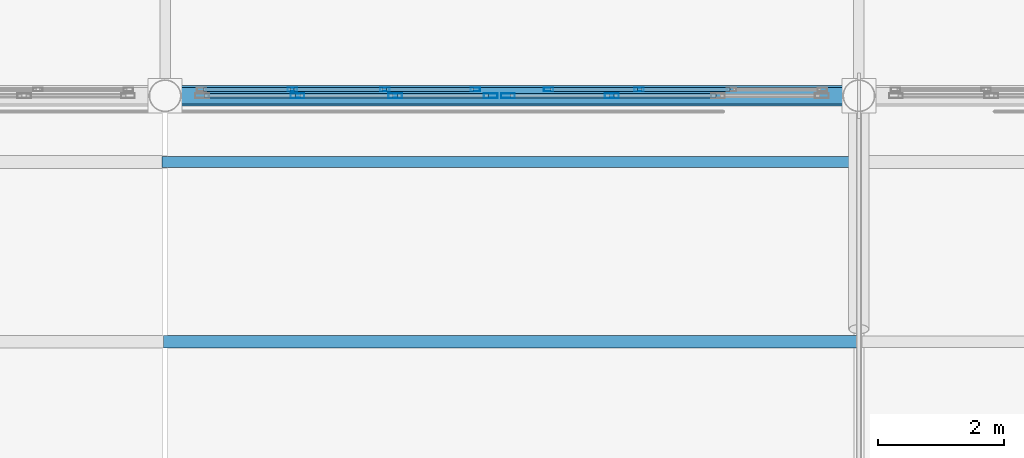
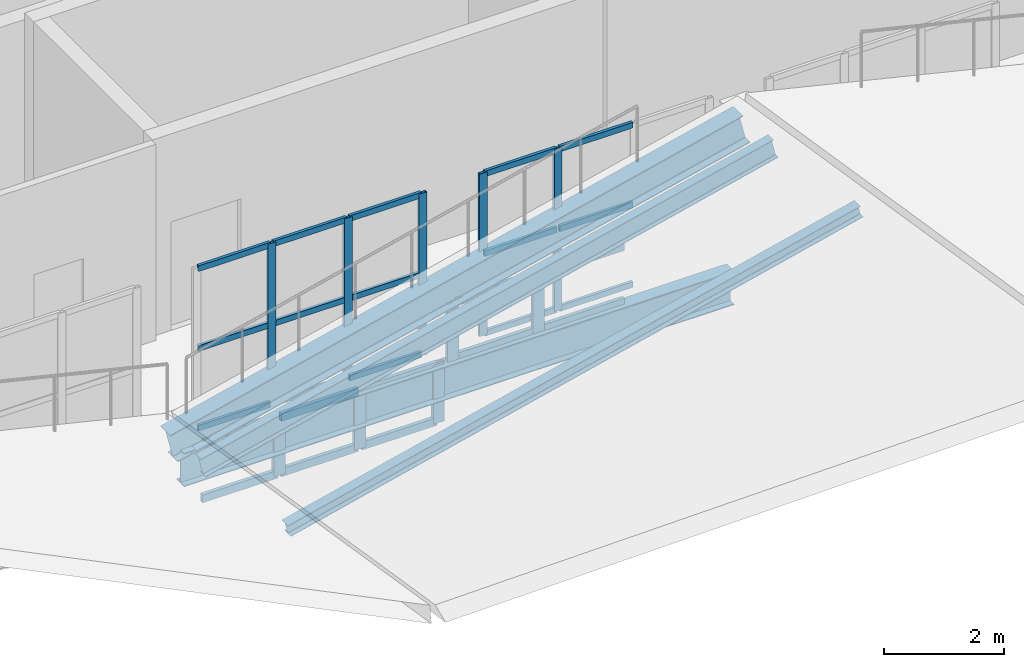
# One storey, part 23 of 120: 37 members, 2 beams, 4 elements without a shape of their own.
"""IFC4 building model written with IfcOpenShell, lengths in metres."""

import ifcopenshell
import ifcopenshell.guid

model = None  # the IFC model being written
_history = None  # IfcOwnerHistory: only IFC2X3 demands one
_inside = {}  # id of a spatial element -> (the spatial element, [elements in it])
_under = {}  # id of a project, library or spatial element -> (it, [spatial elements below it])
_declared = {}  # id of a project -> (the project, [libraries it declares])
_typed = {}  # id of a type object -> (the type object, [elements of that type])
_made_of = {}  # id of a material, layer set ... -> (it, [elements and type objects made of it])


def new_model(schema):
    """Start an empty IFC model of exactly this schema.

    Asked for "IFC4X3", IfcOpenShell would pick the latest addendum, in which some entities
    have other attributes; the version numbers below select the first issue.
    IFC2X3 requires an IfcOwnerHistory on every rooted entity: one is made here for all.
    """
    global model, _history
    if schema == "IFC4X3":
        model = ifcopenshell.file(schema_version=(4, 3, 0, 0))
    else:
        model = ifcopenshell.file(schema=schema)
    _inside.clear()
    _under.clear()
    _declared.clear()
    _typed.clear()
    _made_of.clear()
    _history = None
    if model.schema == "IFC2X3":
        org = make("IfcOrganization", Name="unknown")
        user = make(
            "IfcPersonAndOrganization",
            ThePerson=make("IfcPerson", FamilyName="unknown"),
            TheOrganization=org,
        )
        app = make(
            "IfcApplication",
            ApplicationDeveloper=org,
            Version="unknown",
            ApplicationFullName="unknown",
            ApplicationIdentifier="unknown",
        )
        _history = make(
            "IfcOwnerHistory",
            OwningUser=user,
            OwningApplication=app,
            ChangeAction="ADDED",
            CreationDate=0,
        )
    return model


def make(cls, **values):
    """One entity of the class cls with the attributes given. An attribute that is None is left unset."""
    return model.create_entity(
        cls, **{name: value for name, value in values.items() if value is not None}
    )


def rooted(cls, **values):
    """An entity with a GlobalId (a new one), such as an element, a storey or a relation."""
    return make(cls, GlobalId=ifcopenshell.guid.new(), OwnerHistory=_history, **values)


def si_unit(unit_type, name, prefix=None):
    """IfcSIUnit, for example si_unit("LENGTHUNIT", "METRE", prefix="MILLI")."""
    return make("IfcSIUnit", UnitType=unit_type, Prefix=prefix, Name=name)


def assignment(units):
    """IfcUnitAssignment: the units of a project."""
    return None if units is None else make("IfcUnitAssignment", Units=units)


def point(xyz):
    """IfcCartesianPoint."""
    return None if xyz is None else make("IfcCartesianPoint", Coordinates=xyz)


def direction(xyz):
    """IfcDirection."""
    return None if xyz is None else make("IfcDirection", DirectionRatios=xyz)


def frame(location, z_axis=None, x_axis=None):
    """IfcAxis2Placement3D, a coordinate frame: its origin and axes. An axis left out is left unset."""
    return make(
        "IfcAxis2Placement3D",
        Location=point(location),
        Axis=direction(z_axis),
        RefDirection=direction(x_axis),
    )


def frame_2d(location, x_axis=None):
    """IfcAxis2Placement2D, a coordinate frame in the plane: its origin and x axis."""
    return make(
        "IfcAxis2Placement2D", Location=point(location), RefDirection=direction(x_axis)
    )


def origin():
    """The frame at (0, 0, 0) with its axes left unset."""
    return frame((0.0, 0.0, 0.0))


def origin_2d():
    """The frame at (0, 0) in the plane with its x axis left unset."""
    return frame_2d((0.0, 0.0))


def place(relative_to, where):
    """IfcLocalPlacement: puts the frame where relative to a parent placement (None: the world)."""
    return make(
        "IfcLocalPlacement", PlacementRelTo=relative_to, RelativePlacement=where
    )


def context(
    kind, dimensions, precision=None, world=None, true_north=None, identifier=None
):
    """IfcGeometricRepresentationContext, for example the 3D "Model" context."""
    return make(
        "IfcGeometricRepresentationContext",
        ContextIdentifier=identifier,
        ContextType=kind,
        CoordinateSpaceDimension=dimensions,
        Precision=precision,
        WorldCoordinateSystem=world,
        TrueNorth=true_north,
    )


def subcontext(parent, identifier, kind, view, scale=None):
    """IfcGeometricRepresentationSubContext, for example "Body" below "Model"."""
    return make(
        "IfcGeometricRepresentationSubContext",
        ContextIdentifier=identifier,
        ContextType=kind,
        ParentContext=parent,
        TargetScale=scale,
        TargetView=view,
    )


def project(units=None, contexts=None):
    """IfcProject with its units and contexts."""
    return rooted(
        "IfcProject",
        Name="project",
        RepresentationContexts=contexts,
        UnitsInContext=assignment(units),
    )


def spatial(cls, under=None, at=None, **own):
    """A site, building, storey or space (cls), placed at a placement, below another one or the project."""
    s = rooted(cls, ObjectPlacement=at, **own)
    if under is not None:
        _under.setdefault(under.id(), (under, []))[1].append(s)
    return s


def profile(cls, at=None, kind="AREA", **sizes):
    """A parametric profile (cls). Its sizes go by their IFC names, for example OverallWidth=200.0."""
    return make(cls, ProfileType=kind, Position=at, **sizes)


def hollow_rectangle(**sizes):
    """IfcRectangleHollowProfileDef."""
    return profile("IfcRectangleHollowProfileDef", **sizes)


def i_section(**sizes):
    """IfcIShapeProfileDef."""
    return profile("IfcIShapeProfileDef", **sizes)


def extrude(swept, where, along, depth):
    """IfcExtrudedAreaSolid: the profile swept, set in the frame where, extruded along a direction by depth."""
    return make(
        "IfcExtrudedAreaSolid",
        SweptArea=swept,
        Position=where,
        ExtrudedDirection=direction(along),
        Depth=depth,
    )


def shape(context_of_items, identifier, shape_type, items):
    """IfcShapeRepresentation: the items that make up one representation, for example the "Body"."""
    return make(
        "IfcShapeRepresentation",
        ContextOfItems=context_of_items,
        RepresentationIdentifier=identifier,
        RepresentationType=shape_type,
        Items=items,
    )


def material(Name=None, Category=None):
    """IfcMaterial."""
    return make("IfcMaterial", Name=Name, Category=Category)


def material_profile(
    of_material, cross_section, Name=None, Category=None, Priority=None
):
    """IfcMaterialProfile: a cross section and its material."""
    return make(
        "IfcMaterialProfile",
        Name=Name,
        Material=of_material,
        Profile=cross_section,
        Priority=Priority,
        Category=Category,
    )


def profile_set(profiles, Name=None, composite=None):
    """IfcMaterialProfileSet."""
    return make(
        "IfcMaterialProfileSet",
        Name=Name,
        MaterialProfiles=profiles,
        CompositeProfile=composite,
    )


def made_of(thing, what):
    """Note that an element or type object is made of a material, layer set ...; save() writes the relation."""
    if what is not None:
        _made_of.setdefault(what.id(), (what, []))[1].append(thing)
    return thing


def type_object(cls, material=None, **own):
    """A type object (cls), such as IfcWallType, which elements share."""
    return made_of(rooted(cls, **own), material)


def element(
    cls,
    number,
    at=None,
    inside=None,
    cuts=None,
    type_object=None,
    material=None,
    context=None,
    identifier="Body",
    shape_type=None,
    held_by="IfcProductDefinitionShape",
    body=None,
    shapes=None,
    **own,
):
    """One element of the class cls, such as IfcWall. Its Tag is "e" and its number.

    at: its placement. inside: the storey or other place that contains it. cuts: it is an
    opening in that element (IfcRelVoidsElement). A single representation is given by context,
    identifier, shape_type and body (its items); several are given by shapes. held_by: the class
    of the entity that holds the representations. save() writes the other relations.
    """
    e = rooted(cls, Tag="e%d" % number, ObjectPlacement=at, **own)
    if body is not None:
        shapes = [shape(context, identifier, shape_type, body)]
    if shapes is not None:
        e.Representation = make(held_by, Representations=shapes)
    if inside is not None:
        _inside.setdefault(inside.id(), (inside, []))[1].append(e)
    if cuts is not None:
        rooted(
            "IfcRelVoidsElement", RelatingBuildingElement=cuts, RelatedOpeningElement=e
        )
    if type_object is not None:
        _typed.setdefault(type_object.id(), (type_object, []))[1].append(e)
    return made_of(e, material)


def aggregate(whole, parts):
    """IfcRelAggregates: a whole, such as a stair, and the parts it consists of."""
    return rooted("IfcRelAggregates", RelatingObject=whole, RelatedObjects=parts)


def save(model, path):
    """Write the relations noted so far, then the file.

    IfcRelAggregates (storeys below a building ...), IfcRelContainedInSpatialStructure (elements
    in a storey), IfcRelDefinesByType, IfcRelAssociatesMaterial and IfcRelDeclares: one each for
    every whole, place, type object, material and project.
    """
    for whole, parts in _under.values():
        aggregate(whole, parts)
    for where, things in _inside.values():
        rooted(
            "IfcRelContainedInSpatialStructure",
            RelatedElements=things,
            RelatingStructure=where,
        )
    for kind, things in _typed.values():
        rooted("IfcRelDefinesByType", RelatedObjects=things, RelatingType=kind)
    for what, things in _made_of.values():
        rooted("IfcRelAssociatesMaterial", RelatedObjects=things, RelatingMaterial=what)
    for by, libraries in _declared.values():
        rooted("IfcRelDeclares", RelatingContext=by, RelatedDefinitions=libraries)
    model.write(path)


model = new_model("IFC4")

# Units and contexts
model_context = context("Model", 3, precision=1e-05, world=origin(), true_north=direction((0.0, 1.0)))
body_context = subcontext(model_context, "Body", "Model", "MODEL_VIEW")
ifc_project = project(units=[si_unit("LENGTHUNIT", "METRE"), si_unit("AREAUNIT", "SQUARE_METRE"), si_unit("VOLUMEUNIT", "CUBIC_METRE"), si_unit("PLANEANGLEUNIT", "RADIAN"), si_unit("MASSUNIT", "GRAM", prefix="KILO")], contexts=[model_context])

# Site, building, storey
site_placement = place(None, origin())
site = spatial("IfcSite", under=ifc_project, at=site_placement, CompositionType="ELEMENT")
building_placement = place(site_placement, origin())
building = spatial("IfcBuilding", under=site, at=building_placement, Name="Caurita Quay Ferry Terminal", CompositionType="ELEMENT")
storey_placement = place(building_placement, frame((0.0, 0.0, 9.89990234375)))
storey = spatial("IfcBuildingStorey", under=building, at=storey_placement, Name="L02", CompositionType="ELEMENT", Elevation=9.89990234375)

# Beams
ifc_material_1 = material(Name="Structural steel ASTM A992 Gr. 50", Category="steel")
ifc_material_profile_1 = material_profile(ifc_material_1, i_section(OverallWidth=0.3251953125, OverallDepth=0.612060546875, WebThickness=0.0126953125, FlangeThickness=0.01904296875, FilletRadius=0.01513671875, at=origin_2d()), Name="W24X104")
ifc_profile_set_1 = profile_set([ifc_material_profile_1], Name="Structural steel ASTM A992 Gr. 50")
beam_type_1 = type_object("IfcBeamType", Name="BM-GR-W24A", PredefinedType="BEAM", material=ifc_profile_set_1)
beam_1_placement = place(storey_placement, frame((22.0, 62.699951171875, -0.02978515625), z_axis=(0.972389456854, 0.0, 0.233363973654), x_axis=(0.0, 1.0, 0.0)))
element("IfcBeam", 1, at=beam_1_placement, inside=storey, type_object=beam_type_1, Name="Folded Roof Gable Ring Girder V1-N-22", PredefinedType="BEAM", context=body_context, shape_type="SweptSolid", body=[
    extrude(i_section(OverallWidth=0.3251953125, OverallDepth=0.612060546875, WebThickness=0.0126953125, FlangeThickness=0.01904296875, FilletRadius=0.01513671875, at=origin_2d()), origin(), (0.0, 0.0, 1.0), 11.312255859375),
])
ifc_material_profile_2 = material_profile(ifc_material_1, i_section(OverallWidth=0.25390625, OverallDepth=0.68310546875, WebThickness=0.012451171875, FlangeThickness=0.018798828125, at=origin_2d()), Name="W27X94")
ifc_profile_set_2 = profile_set([ifc_material_profile_2], Name="Structural steel ASTM A992 Gr. 50")
beam_type_2 = type_object("IfcBeamType", Name="BM-GR-W27B", PredefinedType="BEAM", material=ifc_profile_set_2)
beam_2_placement = place(storey_placement, frame((22.2158203125, 62.699951171875, -0.5615234375), z_axis=(1.0, 0.0, 0.0), x_axis=(0.0, 1.0, 0.0)))
element("IfcBeam", 2, at=beam_2_placement, inside=storey, type_object=beam_type_2, Name="L02 Beam BM-V1-L02-X-222-627", PredefinedType="BEAM", context=body_context, shape_type="SweptSolid", body=[
    extrude(i_section(OverallWidth=0.25390625, OverallDepth=0.68310546875, WebThickness=0.012451171875, FlangeThickness=0.018798828125, at=origin_2d()), origin(), (0.0, 0.0, 1.0), 10.568359375),
])

# Curtain wall, members
ifc_material_2 = material(Name="Laminated solar-control insulated glass", Category="glass")
curtain_wall_type_1 = type_object("IfcCurtainWallType", Name="CW-SYS-13", PredefinedType="NOTDEFINED", material=ifc_material_2)
curtain_wall_1_placement = place(storey_placement, origin())
curtain_wall_1 = element("IfcCurtainWall", 3, at=curtain_wall_1_placement, inside=storey, type_object=curtain_wall_type_1, Name="Mezzanine Hall Overlook Glazing 093", PredefinedType="NOTDEFINED")
ifc_material_3 = material(Name="Anodized aluminium 6063-T6", Category="aluminium")
ifc_material_profile_3 = material_profile(ifc_material_3, hollow_rectangle(XDim=0.06005859375, YDim=0.14990234375, WallThickness=0.00341796875, at=origin_2d()), Name="ALU-MUL-60X150")
ifc_profile_set_3 = profile_set([ifc_material_profile_3], Name="Anodized aluminium 6063-T6")
member_type_1 = type_object("IfcMemberType", Name="CW-MUL-150", PredefinedType="MULLION", material=ifc_profile_set_3)
member_1_placement = place(storey_placement, frame((24.0166015625, 62.800048828125, 0.0), z_axis=(0.0, 0.0, 1.0), x_axis=(0.0, 1.0, 0.0)))
member_1 = element("IfcMember", 4, at=member_1_placement, type_object=member_type_1, Name="CW-MZL-093 Mullion 2", PredefinedType="MULLION", context=body_context, shape_type="SweptSolid", body=[
    extrude(hollow_rectangle(XDim=0.06005859375, YDim=0.14990234375, WallThickness=0.00341796875, at=origin_2d()), origin(), (0.0, 0.0, 1.0), 3.300048828125),
])
member_2_placement = place(storey_placement, frame((25.4833984375, 62.800048828125, 0.0), z_axis=(0.0, 0.0, 1.0), x_axis=(0.0, 1.0, 0.0)))
member_2 = element("IfcMember", 5, at=member_2_placement, type_object=member_type_1, Name="CW-MZL-093 Mullion 3", PredefinedType="MULLION", context=body_context, shape_type="SweptSolid", body=[
    extrude(hollow_rectangle(XDim=0.06005859375, YDim=0.14990234375, WallThickness=0.00341796875, at=origin_2d()), origin(), (0.0, 0.0, 1.0), 3.300048828125),
])
member_3_placement = place(storey_placement, frame((26.919921875, 62.800048828125, 0.0), z_axis=(0.0, 0.0, 1.0), x_axis=(0.0, 1.0, 0.0)))
member_3 = element("IfcMember", 6, at=member_3_placement, type_object=member_type_1, Name="CW-MZL-093 Mullion 4", PredefinedType="MULLION", context=body_context, shape_type="SweptSolid", body=[
    extrude(hollow_rectangle(XDim=0.06005859375, YDim=0.14990234375, WallThickness=0.00341796875, at=origin_2d()), origin(), (0.0, 0.0, 1.0), 3.300048828125),
])

curtain_wall_2_placement = place(storey_placement, origin())
curtain_wall_2 = element("IfcCurtainWall", 7, at=curtain_wall_2_placement, inside=storey, type_object=curtain_wall_type_1, Name="Mezzanine Hall Overlook Glazing 094", PredefinedType="NOTDEFINED")
member_4_placement = place(storey_placement, frame((28.080078125, 62.800048828125, 0.0), z_axis=(0.0, 0.0, 1.0), x_axis=(0.0, 1.0, 0.0)))
member_4 = element("IfcMember", 8, at=member_4_placement, type_object=member_type_1, Name="CW-MZL-094 Mullion 1", PredefinedType="MULLION", context=body_context, shape_type="SweptSolid", body=[
    extrude(hollow_rectangle(XDim=0.06005859375, YDim=0.14990234375, WallThickness=0.00341796875, at=origin_2d()), origin(), (0.0, 0.0, 1.0), 3.300048828125),
])
member_5_placement = place(storey_placement, frame((29.5166015625, 62.800048828125, 0.0), z_axis=(0.0, 0.0, 1.0), x_axis=(0.0, 1.0, 0.0)))
member_5 = element("IfcMember", 9, at=member_5_placement, type_object=member_type_1, Name="CW-MZL-094 Mullion 2", PredefinedType="MULLION", context=body_context, shape_type="SweptSolid", body=[
    extrude(hollow_rectangle(XDim=0.06005859375, YDim=0.14990234375, WallThickness=0.00341796875, at=origin_2d()), origin(), (0.0, 0.0, 1.0), 3.300048828125),
])

curtain_wall_type_2 = type_object("IfcCurtainWallType", Name="CW-SYS-05", PredefinedType="NOTDEFINED", material=ifc_material_2)
curtain_wall_3_placement = place(storey_placement, origin())
curtain_wall_3 = element("IfcCurtainWall", 10, at=curtain_wall_3_placement, inside=storey, type_object=curtain_wall_type_2, Name="Folded Roof Clerestory FB-02-N1", PredefinedType="NOTDEFINED")
ifc_material_profile_4 = material_profile(ifc_material_3, hollow_rectangle(XDim=0.074951171875, YDim=0.219970703125, WallThickness=0.00390625, at=origin_2d()), Name="ALU-MUL-75X220")
ifc_profile_set_4 = profile_set([ifc_material_profile_4], Name="Anodized aluminium 6063-T6")
member_type_2 = type_object("IfcMemberType", Name="CW-MUL-220", PredefinedType="MULLION", material=ifc_profile_set_4)
member_6_placement = place(storey_placement, frame((24.10009765625, 62.699951171875, -1.3828125), z_axis=(0.0, 0.0, 1.0), x_axis=(0.0, 1.0, 0.0)))
member_6 = element("IfcMember", 11, at=member_6_placement, type_object=member_type_2, Name="CW-CLR-013 Mullion 2", PredefinedType="MULLION", context=body_context, shape_type="SweptSolid", body=[
    extrude(hollow_rectangle(XDim=0.074951171875, YDim=0.219970703125, WallThickness=0.00390625, at=origin_2d()), origin(), (0.0, 0.0, 1.0), 1.199951171875),
])
member_7_placement = place(storey_placement, frame((25.64990234375, 62.699951171875, -1.3828125), z_axis=(0.0, 0.0, 1.0), x_axis=(0.0, 1.0, 0.0)))
member_7 = element("IfcMember", 12, at=member_7_placement, type_object=member_type_2, Name="CW-CLR-013 Mullion 3", PredefinedType="MULLION", context=body_context, shape_type="SweptSolid", body=[
    extrude(hollow_rectangle(XDim=0.074951171875, YDim=0.219970703125, WallThickness=0.00390625, at=origin_2d()), origin(), (0.0, 0.0, 1.0), 1.199951171875),
])
member_8_placement = place(storey_placement, frame((27.16259765625, 62.699951171875, -1.3828125), z_axis=(0.0, 0.0, 1.0), x_axis=(0.0, 1.0, 0.0)))
member_8 = element("IfcMember", 13, at=member_8_placement, type_object=member_type_2, Name="CW-CLR-013 Mullion 4", PredefinedType="MULLION", context=body_context, shape_type="SweptSolid", body=[
    extrude(hollow_rectangle(XDim=0.074951171875, YDim=0.219970703125, WallThickness=0.00390625, at=origin_2d()), origin(), (0.0, 0.0, 1.0), 1.199951171875),
])

curtain_wall_type_3 = type_object("IfcCurtainWallType", Name="CW-SYS-06", PredefinedType="NOTDEFINED", material=ifc_material_2)
curtain_wall_4_placement = place(storey_placement, origin())
curtain_wall_4 = element("IfcCurtainWall", 14, at=curtain_wall_4_placement, inside=storey, type_object=curtain_wall_type_3, Name="Folded Roof Clerestory FB-02-N2", PredefinedType="NOTDEFINED")
member_9_placement = place(storey_placement, frame((27.4375, 62.699951171875, -0.218994140625), z_axis=(0.0, 0.0, 1.0), x_axis=(0.0, 1.0, 0.0)))
member_9 = element("IfcMember", 15, at=member_9_placement, type_object=member_type_2, Name="CW-CLR-014 Mullion 1", PredefinedType="MULLION", context=body_context, shape_type="SweptSolid", body=[
    extrude(hollow_rectangle(XDim=0.074951171875, YDim=0.219970703125, WallThickness=0.00390625, at=origin_2d()), origin(), (0.0, 0.0, 1.0), 1.2001953125),
])
member_10_placement = place(storey_placement, frame((29.083251953125, 62.699951171875, -0.218994140625), z_axis=(0.0, 0.0, 1.0), x_axis=(0.0, 1.0, 0.0)))
member_10 = element("IfcMember", 16, at=member_10_placement, type_object=member_type_2, Name="CW-CLR-014 Mullion 2", PredefinedType="MULLION", context=body_context, shape_type="SweptSolid", body=[
    extrude(hollow_rectangle(XDim=0.074951171875, YDim=0.219970703125, WallThickness=0.00390625, at=origin_2d()), origin(), (0.0, 0.0, 1.0), 1.2001953125),
])

# Member
ifc_material_profile_5 = material_profile(ifc_material_3, hollow_rectangle(XDim=0.06005859375, YDim=0.114990234375, WallThickness=0.00341796875, at=origin_2d()), Name="ALU-TRN-60X115")
ifc_profile_set_5 = profile_set([ifc_material_profile_5], Name="Anodized aluminium 6063-T6")
member_type_3 = type_object("IfcMemberType", Name="CW-TRN-115", PredefinedType="USERDEFINED", material=ifc_profile_set_5)
member_11_placement = place(storey_placement, frame((22.60791015625, 62.800048828125, 0.030029296875), z_axis=(1.0, 0.0, 0.0), x_axis=(0.0, 1.0, 0.0)))
member_11 = element("IfcMember", 17, at=member_11_placement, type_object=member_type_3, Name="CW-MZL-093 Transom 1", ObjectType="TRANSOM", PredefinedType="USERDEFINED", context=body_context, shape_type="SweptSolid", body=[
    extrude(hollow_rectangle(XDim=0.06005859375, YDim=0.114990234375, WallThickness=0.00341796875, at=origin_2d()), origin(), (0.0, 0.0, 1.0), 1.380859375),
])

member_12_placement = place(storey_placement, frame((22.60791015625, 62.800048828125, 1.650146484375), z_axis=(1.0, 0.0, 0.0), x_axis=(0.0, 1.0, 0.0)))
member_12 = element("IfcMember", 18, at=member_12_placement, type_object=member_type_3, Name="CW-MZL-093 Transom 2", ObjectType="TRANSOM", PredefinedType="USERDEFINED", context=body_context, shape_type="SweptSolid", body=[
    extrude(hollow_rectangle(XDim=0.06005859375, YDim=0.114990234375, WallThickness=0.00341796875, at=origin_2d()), origin(), (0.0, 0.0, 1.0), 1.380859375),
])

member_13_placement = place(storey_placement, frame((22.60791015625, 62.800048828125, 3.27001953125), z_axis=(1.0, 0.0, 0.0), x_axis=(0.0, 1.0, 0.0)))
member_13 = element("IfcMember", 19, at=member_13_placement, type_object=member_type_3, Name="CW-MZL-093 Transom 3", ObjectType="TRANSOM", PredefinedType="USERDEFINED", context=body_context, shape_type="SweptSolid", body=[
    extrude(hollow_rectangle(XDim=0.06005859375, YDim=0.114990234375, WallThickness=0.00341796875, at=origin_2d()), origin(), (0.0, 0.0, 1.0), 1.380859375),
])

member_14_placement = place(storey_placement, frame((24.044677734375, 62.800048828125, 0.030029296875), z_axis=(1.0, 0.0, 0.0), x_axis=(0.0, 1.0, 0.0)))
member_14 = element("IfcMember", 20, at=member_14_placement, type_object=member_type_3, Name="CW-MZL-093 Transom 4", ObjectType="TRANSOM", PredefinedType="USERDEFINED", context=body_context, shape_type="SweptSolid", body=[
    extrude(hollow_rectangle(XDim=0.06005859375, YDim=0.114990234375, WallThickness=0.00341796875, at=origin_2d()), origin(), (0.0, 0.0, 1.0), 1.41064453125),
])

member_15_placement = place(storey_placement, frame((24.044677734375, 62.800048828125, 1.650146484375), z_axis=(1.0, 0.0, 0.0), x_axis=(0.0, 1.0, 0.0)))
member_15 = element("IfcMember", 21, at=member_15_placement, type_object=member_type_3, Name="CW-MZL-093 Transom 5", ObjectType="TRANSOM", PredefinedType="USERDEFINED", context=body_context, shape_type="SweptSolid", body=[
    extrude(hollow_rectangle(XDim=0.06005859375, YDim=0.114990234375, WallThickness=0.00341796875, at=origin_2d()), origin(), (0.0, 0.0, 1.0), 1.41064453125),
])

member_16_placement = place(storey_placement, frame((24.044677734375, 62.800048828125, 3.27001953125), z_axis=(1.0, 0.0, 0.0), x_axis=(0.0, 1.0, 0.0)))
member_16 = element("IfcMember", 22, at=member_16_placement, type_object=member_type_3, Name="CW-MZL-093 Transom 6", ObjectType="TRANSOM", PredefinedType="USERDEFINED", context=body_context, shape_type="SweptSolid", body=[
    extrude(hollow_rectangle(XDim=0.06005859375, YDim=0.114990234375, WallThickness=0.00341796875, at=origin_2d()), origin(), (0.0, 0.0, 1.0), 1.41064453125),
])

member_17_placement = place(storey_placement, frame((25.51123046875, 62.800048828125, 0.030029296875), z_axis=(1.0, 0.0, 0.0), x_axis=(0.0, 1.0, 0.0)))
member_17 = element("IfcMember", 23, at=member_17_placement, type_object=member_type_3, Name="CW-MZL-093 Transom 7", ObjectType="TRANSOM", PredefinedType="USERDEFINED", context=body_context, shape_type="SweptSolid", body=[
    extrude(hollow_rectangle(XDim=0.06005859375, YDim=0.114990234375, WallThickness=0.00341796875, at=origin_2d()), origin(), (0.0, 0.0, 1.0), 1.380859375),
])

member_18_placement = place(storey_placement, frame((25.51123046875, 62.800048828125, 1.650146484375), z_axis=(1.0, 0.0, 0.0), x_axis=(0.0, 1.0, 0.0)))
member_18 = element("IfcMember", 24, at=member_18_placement, type_object=member_type_3, Name="CW-MZL-093 Transom 8", ObjectType="TRANSOM", PredefinedType="USERDEFINED", context=body_context, shape_type="SweptSolid", body=[
    extrude(hollow_rectangle(XDim=0.06005859375, YDim=0.114990234375, WallThickness=0.00341796875, at=origin_2d()), origin(), (0.0, 0.0, 1.0), 1.380859375),
])

member_19_placement = place(storey_placement, frame((25.51123046875, 62.800048828125, 3.27001953125), z_axis=(1.0, 0.0, 0.0), x_axis=(0.0, 1.0, 0.0)))
member_19 = element("IfcMember", 25, at=member_19_placement, type_object=member_type_3, Name="CW-MZL-093 Transom 9", ObjectType="TRANSOM", PredefinedType="USERDEFINED", context=body_context, shape_type="SweptSolid", body=[
    extrude(hollow_rectangle(XDim=0.06005859375, YDim=0.114990234375, WallThickness=0.00341796875, at=origin_2d()), origin(), (0.0, 0.0, 1.0), 1.380859375),
])

aggregate(curtain_wall_1, [member_1, member_2, member_3, member_11, member_12, member_13, member_14, member_15, member_16, member_17, member_18, member_19])

member_20_placement = place(storey_placement, frame((28.10791015625, 62.800048828125, 0.030029296875), z_axis=(1.0, 0.0, 0.0), x_axis=(0.0, 1.0, 0.0)))
member_20 = element("IfcMember", 26, at=member_20_placement, type_object=member_type_3, Name="CW-MZL-094 Transom 1", ObjectType="TRANSOM", PredefinedType="USERDEFINED", context=body_context, shape_type="SweptSolid", body=[
    extrude(hollow_rectangle(XDim=0.06005859375, YDim=0.114990234375, WallThickness=0.00341796875, at=origin_2d()), origin(), (0.0, 0.0, 1.0), 1.380859375),
])

member_21_placement = place(storey_placement, frame((28.10791015625, 62.800048828125, 1.650146484375), z_axis=(1.0, 0.0, 0.0), x_axis=(0.0, 1.0, 0.0)))
member_21 = element("IfcMember", 27, at=member_21_placement, type_object=member_type_3, Name="CW-MZL-094 Transom 2", ObjectType="TRANSOM", PredefinedType="USERDEFINED", context=body_context, shape_type="SweptSolid", body=[
    extrude(hollow_rectangle(XDim=0.06005859375, YDim=0.114990234375, WallThickness=0.00341796875, at=origin_2d()), origin(), (0.0, 0.0, 1.0), 1.380859375),
])

member_22_placement = place(storey_placement, frame((28.10791015625, 62.800048828125, 3.27001953125), z_axis=(1.0, 0.0, 0.0), x_axis=(0.0, 1.0, 0.0)))
member_22 = element("IfcMember", 28, at=member_22_placement, type_object=member_type_3, Name="CW-MZL-094 Transom 3", ObjectType="TRANSOM", PredefinedType="USERDEFINED", context=body_context, shape_type="SweptSolid", body=[
    extrude(hollow_rectangle(XDim=0.06005859375, YDim=0.114990234375, WallThickness=0.00341796875, at=origin_2d()), origin(), (0.0, 0.0, 1.0), 1.380859375),
])

member_23_placement = place(storey_placement, frame((29.544677734375, 62.800048828125, 0.030029296875), z_axis=(1.0, 0.0, 0.0), x_axis=(0.0, 1.0, 0.0)))
member_23 = element("IfcMember", 29, at=member_23_placement, type_object=member_type_3, Name="CW-MZL-094 Transom 4", ObjectType="TRANSOM", PredefinedType="USERDEFINED", context=body_context, shape_type="SweptSolid", body=[
    extrude(hollow_rectangle(XDim=0.06005859375, YDim=0.114990234375, WallThickness=0.00341796875, at=origin_2d()), origin(), (0.0, 0.0, 1.0), 1.41064453125),
])

member_24_placement = place(storey_placement, frame((29.544677734375, 62.800048828125, 1.650146484375), z_axis=(1.0, 0.0, 0.0), x_axis=(0.0, 1.0, 0.0)))
member_24 = element("IfcMember", 30, at=member_24_placement, type_object=member_type_3, Name="CW-MZL-094 Transom 5", ObjectType="TRANSOM", PredefinedType="USERDEFINED", context=body_context, shape_type="SweptSolid", body=[
    extrude(hollow_rectangle(XDim=0.06005859375, YDim=0.114990234375, WallThickness=0.00341796875, at=origin_2d()), origin(), (0.0, 0.0, 1.0), 1.41064453125),
])

member_25_placement = place(storey_placement, frame((29.544677734375, 62.800048828125, 3.27001953125), z_axis=(1.0, 0.0, 0.0), x_axis=(0.0, 1.0, 0.0)))
member_25 = element("IfcMember", 31, at=member_25_placement, type_object=member_type_3, Name="CW-MZL-094 Transom 6", ObjectType="TRANSOM", PredefinedType="USERDEFINED", context=body_context, shape_type="SweptSolid", body=[
    extrude(hollow_rectangle(XDim=0.06005859375, YDim=0.114990234375, WallThickness=0.00341796875, at=origin_2d()), origin(), (0.0, 0.0, 1.0), 1.41064453125),
])

aggregate(curtain_wall_2, [member_4, member_5, member_20, member_21, member_22, member_23, member_24, member_25])

ifc_material_profile_6 = material_profile(ifc_material_3, hollow_rectangle(XDim=0.074951171875, YDim=0.159912109375, WallThickness=0.00390625, at=origin_2d()), Name="ALU-TRN-75X160")
ifc_profile_set_6 = profile_set([ifc_material_profile_6], Name="Anodized aluminium 6063-T6")
member_type_4 = type_object("IfcMemberType", Name="CW-TRN-160", PredefinedType="USERDEFINED", material=ifc_profile_set_6)
member_26_placement = place(storey_placement, frame((22.623046875, 62.699951171875, -1.345458984375), z_axis=(1.0, 0.0, 0.0), x_axis=(0.0, 1.0, 0.0)))
member_26 = element("IfcMember", 32, at=member_26_placement, type_object=member_type_4, Name="CW-CLR-013 Transom 1", ObjectType="TRANSOM", PredefinedType="USERDEFINED", context=body_context, shape_type="SweptSolid", body=[
    extrude(hollow_rectangle(XDim=0.074951171875, YDim=0.159912109375, WallThickness=0.00390625, at=origin_2d()), origin(), (0.0, 0.0, 1.0), 1.44140625),
])

member_27_placement = place(storey_placement, frame((22.623046875, 62.699951171875, -0.220458984375), z_axis=(1.0, 0.0, 0.0), x_axis=(0.0, 1.0, 0.0)))
member_27 = element("IfcMember", 33, at=member_27_placement, type_object=member_type_4, Name="CW-CLR-013 Transom 2", ObjectType="TRANSOM", PredefinedType="USERDEFINED", context=body_context, shape_type="SweptSolid", body=[
    extrude(hollow_rectangle(XDim=0.074951171875, YDim=0.159912109375, WallThickness=0.00390625, at=origin_2d()), origin(), (0.0, 0.0, 1.0), 1.44140625),
])

member_28_placement = place(storey_placement, frame((24.135498046875, 62.699951171875, -1.345458984375), z_axis=(1.0, 0.0, 0.0), x_axis=(0.0, 1.0, 0.0)))
member_28 = element("IfcMember", 34, at=member_28_placement, type_object=member_type_4, Name="CW-CLR-013 Transom 3", ObjectType="TRANSOM", PredefinedType="USERDEFINED", context=body_context, shape_type="SweptSolid", body=[
    extrude(hollow_rectangle(XDim=0.074951171875, YDim=0.159912109375, WallThickness=0.00390625, at=origin_2d()), origin(), (0.0, 0.0, 1.0), 1.47900390625),
])

member_29_placement = place(storey_placement, frame((24.135498046875, 62.699951171875, -0.220458984375), z_axis=(1.0, 0.0, 0.0), x_axis=(0.0, 1.0, 0.0)))
member_29 = element("IfcMember", 35, at=member_29_placement, type_object=member_type_4, Name="CW-CLR-013 Transom 4", ObjectType="TRANSOM", PredefinedType="USERDEFINED", context=body_context, shape_type="SweptSolid", body=[
    extrude(hollow_rectangle(XDim=0.074951171875, YDim=0.159912109375, WallThickness=0.00390625, at=origin_2d()), origin(), (0.0, 0.0, 1.0), 1.47900390625),
])

member_30_placement = place(storey_placement, frame((25.685546875, 62.699951171875, -1.345458984375), z_axis=(1.0, 0.0, 0.0), x_axis=(0.0, 1.0, 0.0)))
member_30 = element("IfcMember", 36, at=member_30_placement, type_object=member_type_4, Name="CW-CLR-013 Transom 5", ObjectType="TRANSOM", PredefinedType="USERDEFINED", context=body_context, shape_type="SweptSolid", body=[
    extrude(hollow_rectangle(XDim=0.074951171875, YDim=0.159912109375, WallThickness=0.00390625, at=origin_2d()), origin(), (0.0, 0.0, 1.0), 1.44140625),
])

member_31_placement = place(storey_placement, frame((25.685546875, 62.699951171875, -0.220458984375), z_axis=(1.0, 0.0, 0.0), x_axis=(0.0, 1.0, 0.0)))
member_31 = element("IfcMember", 37, at=member_31_placement, type_object=member_type_4, Name="CW-CLR-013 Transom 6", ObjectType="TRANSOM", PredefinedType="USERDEFINED", context=body_context, shape_type="SweptSolid", body=[
    extrude(hollow_rectangle(XDim=0.074951171875, YDim=0.159912109375, WallThickness=0.00390625, at=origin_2d()), origin(), (0.0, 0.0, 1.0), 1.44140625),
])

aggregate(curtain_wall_3, [member_6, member_7, member_8, member_26, member_27, member_28, member_29, member_30, member_31])

member_32_placement = place(storey_placement, frame((27.472900390625, 62.699951171875, -0.181396484375), z_axis=(1.0, 0.0, 0.0), x_axis=(0.0, 1.0, 0.0)))
member_32 = element("IfcMember", 38, at=member_32_placement, type_object=member_type_4, Name="CW-CLR-014 Transom 1", ObjectType="TRANSOM", PredefinedType="USERDEFINED", context=body_context, shape_type="SweptSolid", body=[
    extrude(hollow_rectangle(XDim=0.074951171875, YDim=0.159912109375, WallThickness=0.00390625, at=origin_2d()), origin(), (0.0, 0.0, 1.0), 1.574951171875),
])

member_33_placement = place(storey_placement, frame((27.472900390625, 62.699951171875, 0.943603515625), z_axis=(1.0, 0.0, 0.0), x_axis=(0.0, 1.0, 0.0)))
member_33 = element("IfcMember", 39, at=member_33_placement, type_object=member_type_4, Name="CW-CLR-014 Transom 2", ObjectType="TRANSOM", PredefinedType="USERDEFINED", context=body_context, shape_type="SweptSolid", body=[
    extrude(hollow_rectangle(XDim=0.074951171875, YDim=0.159912109375, WallThickness=0.00390625, at=origin_2d()), origin(), (0.0, 0.0, 1.0), 1.574951171875),
])

member_34_placement = place(storey_placement, frame((29.118896484375, 62.699951171875, -0.181396484375), z_axis=(1.0, 0.0, 0.0), x_axis=(0.0, 1.0, 0.0)))
member_34 = element("IfcMember", 40, at=member_34_placement, type_object=member_type_4, Name="CW-CLR-014 Transom 3", ObjectType="TRANSOM", PredefinedType="USERDEFINED", context=body_context, shape_type="SweptSolid", body=[
    extrude(hollow_rectangle(XDim=0.074951171875, YDim=0.159912109375, WallThickness=0.00390625, at=origin_2d()), origin(), (0.0, 0.0, 1.0), 1.6123046875),
])

member_35_placement = place(storey_placement, frame((29.118896484375, 62.699951171875, 0.943603515625), z_axis=(1.0, 0.0, 0.0), x_axis=(0.0, 1.0, 0.0)))
member_35 = element("IfcMember", 41, at=member_35_placement, type_object=member_type_4, Name="CW-CLR-014 Transom 4", ObjectType="TRANSOM", PredefinedType="USERDEFINED", context=body_context, shape_type="SweptSolid", body=[
    extrude(hollow_rectangle(XDim=0.074951171875, YDim=0.159912109375, WallThickness=0.00390625, at=origin_2d()), origin(), (0.0, 0.0, 1.0), 1.6123046875),
])

aggregate(curtain_wall_4, [member_9, member_10, member_32, member_33, member_34, member_35])

# Members
ifc_material_profile_7 = material_profile(ifc_material_1, i_section(OverallWidth=0.2021484375, OverallDepth=0.246337890625, WebThickness=0.00732421875, FlangeThickness=0.010986328125, FilletRadius=0.01025390625, at=origin_2d()), Name="W10X33")
ifc_profile_set_7 = profile_set([ifc_material_profile_7], Name="Structural steel ASTM A992 Gr. 50")
member_type_5 = type_object("IfcMemberType", Name="MEM-PUR-10", PredefinedType="PURLIN", material=ifc_profile_set_7)
member_36_placement = place(storey_placement, frame((22.0, 58.800048828125, 0.6240234375), z_axis=(0.972384559308, 0.0, 0.23338437998), x_axis=(0.0, 1.0, 0.0)))
element("IfcMember", 42, at=member_36_placement, inside=storey, type_object=member_type_5, Name="Folded Roof Purlin PUR-029", PredefinedType="PURLIN", context=body_context, shape_type="SweptSolid", body=[
    extrude(i_section(OverallWidth=0.2021484375, OverallDepth=0.246337890625, WebThickness=0.00732421875, FlangeThickness=0.010986328125, FilletRadius=0.01025390625, at=origin_2d()), origin(), (0.0, 0.0, 1.0), 11.3125),
])
ifc_material_profile_8 = material_profile(ifc_material_1, i_section(OverallWidth=0.177734375, OverallDepth=0.40380859375, WebThickness=0.007568359375, FlangeThickness=0.010986328125, FilletRadius=0.011474609375, at=origin_2d()), Name="W16X36")
ifc_profile_set_8 = profile_set([ifc_material_profile_8], Name="Structural steel ASTM A992 Gr. 50")
member_type_6 = type_object("IfcMemberType", Name="MEM-PUR-16", PredefinedType="PURLIN", material=ifc_profile_set_8)
member_37_placement = place(storey_placement, frame((22.0, 61.64990234375, 0.168212890625), z_axis=(0.972389456854, 0.0, 0.233363973654), x_axis=(0.0, 1.0, 0.0)))
element("IfcMember", 43, at=member_37_placement, inside=storey, type_object=member_type_6, Name="Folded Roof Purlin PUR-030", PredefinedType="PURLIN", context=body_context, shape_type="SweptSolid", body=[
    extrude(i_section(OverallWidth=0.177734375, OverallDepth=0.40380859375, WebThickness=0.007568359375, FlangeThickness=0.010986328125, FilletRadius=0.011474609375, at=origin_2d()), origin(), (0.0, 0.0, 1.0), 11.312255859375),
])

save(model, "model.ifc")
